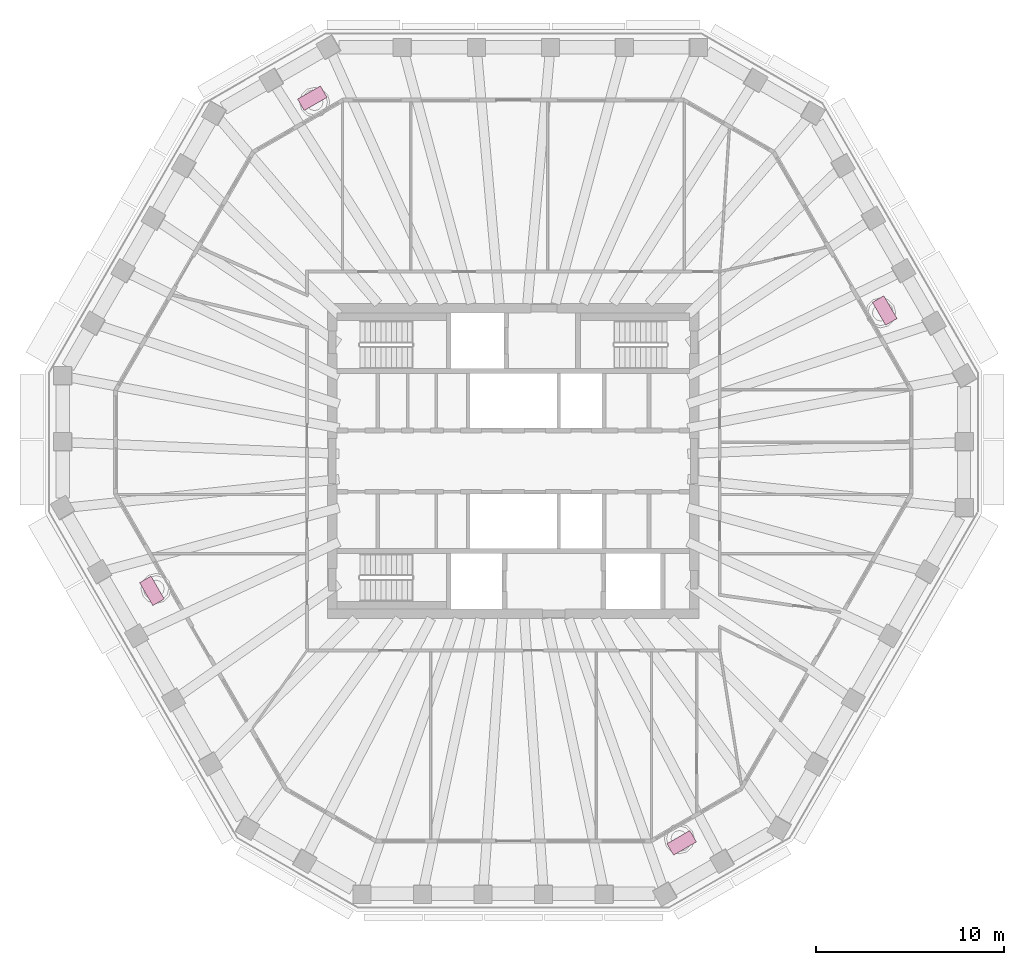
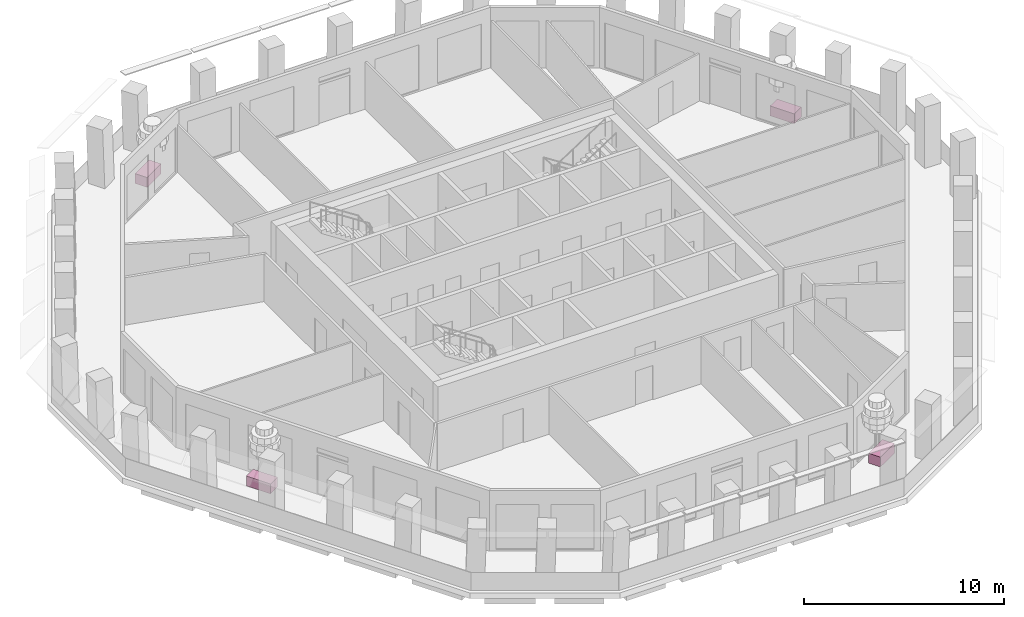
# One storey, part 10 of 11: 4 furniture elements.
"""IFC4 building model written with IfcOpenShell, lengths in metres."""

from ifc_helpers import new_model, si_unit, direction, frame, origin, origin_2d, place, context, subcontext, project, spatial, rectangle, extrude, material, type_object, element, save


model = new_model("IFC4")

# Units and contexts
model_context = context("Model", 3, precision=1e-05, world=origin(), true_north=direction((0.0, 1.0)))
body_context = subcontext(model_context, "Body", "Model", "MODEL_VIEW")
ifc_project = project(units=[si_unit("LENGTHUNIT", "METRE"), si_unit("AREAUNIT", "SQUARE_METRE"), si_unit("VOLUMEUNIT", "CUBIC_METRE"), si_unit("PLANEANGLEUNIT", "RADIAN"), si_unit("MASSUNIT", "GRAM", prefix="KILO")], contexts=[model_context])

# Site, building, storey
site_placement = place(None, origin())
site = spatial("IfcSite", under=ifc_project, at=site_placement, CompositionType="ELEMENT")
building_placement = place(site_placement, origin())
building = spatial("IfcBuilding", under=site, at=building_placement, Name="Frailejon Research Tower", CompositionType="ELEMENT")
storey_placement = place(building_placement, frame((0.0, 0.0, 295.0)))
storey = spatial("IfcBuildingStorey", under=building, at=storey_placement, Name="L65", CompositionType="ELEMENT", Elevation=295.0)

# Furniture
ifc_material = material(Name="Precast concrete C30/37 planter, terracotta", Category="masonry")
furniture_type = type_object("IfcFurnitureType", Name="Loggia planter 1400x700", AssemblyPlace="NOTDEFINED", PredefinedType="USERDEFINED", material=ifc_material)
for number, where, z_axis, x_axis, name in (
    (1, (19.69970703125, 7.990234375, 0.0), (0.0, 0.0, 1.0), (-0.5, 0.866025403784, 0.0), "Planter L65"),
    (2, (-10.669921875, 19.248291015625, 0.0), (0.0, 0.0, 1.0), (-0.866025403784, -0.5, 0.0), "Planter L65"),
    (3, (-19.17724609375, -6.884033203125, 0.0), (0.0, 0.0, 1.0), (0.5, -0.866025403784, 0.0), "Planter L65"),
    (4, (8.92822265625, -20.25390625, 0.0), (0.0, 0.0, 1.0), (0.866025403784, 0.5, 0.0), "Planter L65"),
):
    element("IfcFurniture", number, at=place(storey_placement, frame(where, z_axis=z_axis, x_axis=x_axis)), inside=storey, type_object=furniture_type, Name=name, ObjectType="PLANTER", PredefinedType="USERDEFINED", context=body_context, shape_type="SweptSolid", body=[
        extrude(rectangle(XDim=1.39990234375, YDim=0.699951171875, at=origin_2d()), origin(), (0.0, 0.0, 1.0), 0.60009765625),
    ])

save(model, "model.ifc")
